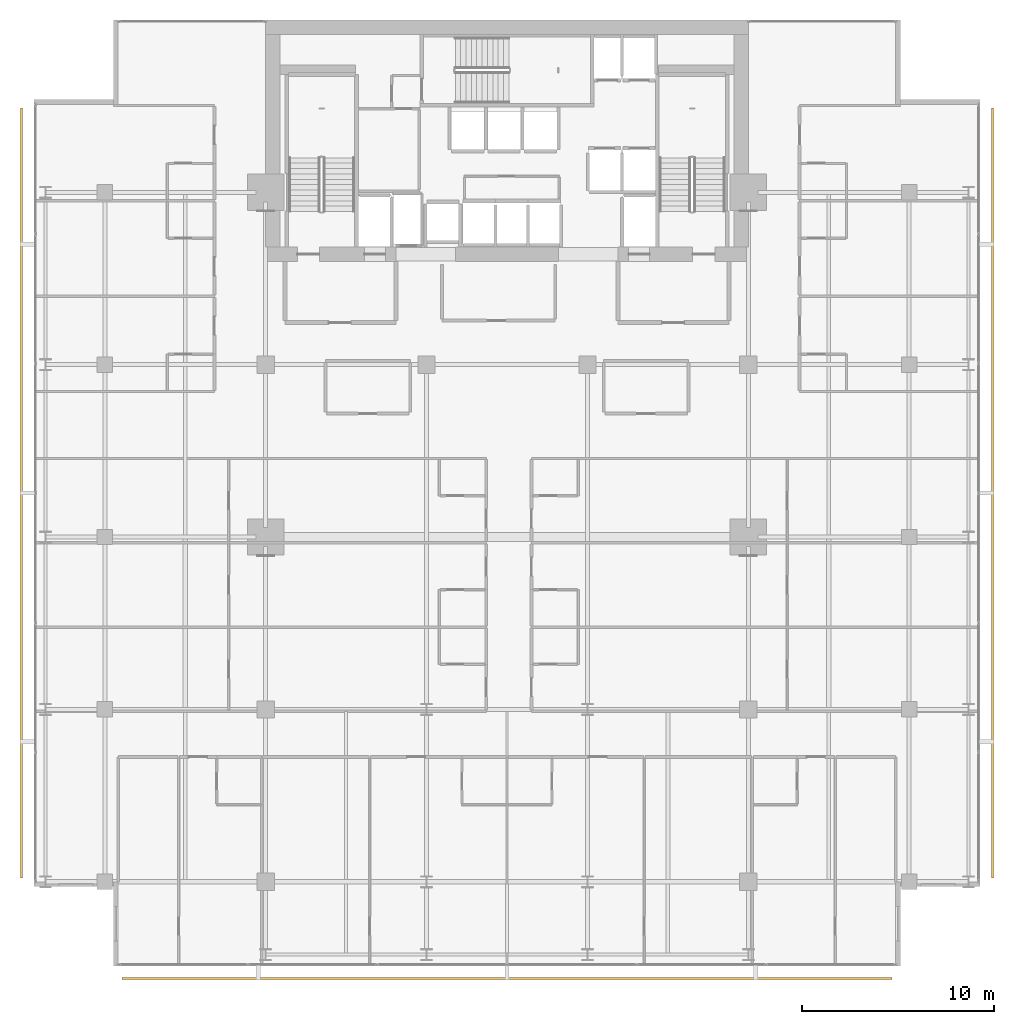
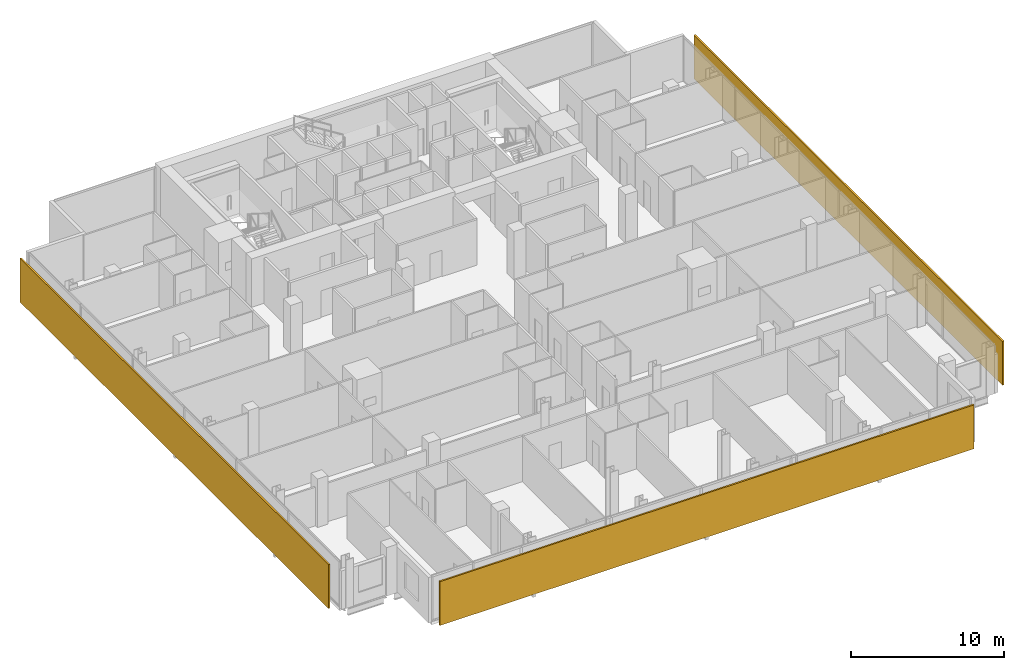
# One storey, part 33 of 34: 3 shading devices.
"""IFC4 building model written with IfcOpenShell, lengths in metres."""

from ifc_helpers import new_model, si_unit, direction, frame, origin, origin_2d, place, context, subcontext, project, spatial, rectangle, extrude, material, layer, layer_set, type_object, element, save


model = new_model("IFC4")

# Units and contexts
model_context = context("Model", 3, precision=1e-05, world=origin(), true_north=direction((0.0, 1.0)))
body_context = subcontext(model_context, "Body", "Model", "MODEL_VIEW")
ifc_project = project(units=[si_unit("LENGTHUNIT", "METRE"), si_unit("AREAUNIT", "SQUARE_METRE"), si_unit("VOLUMEUNIT", "CUBIC_METRE"), si_unit("PLANEANGLEUNIT", "RADIAN"), si_unit("MASSUNIT", "GRAM", prefix="KILO")], contexts=[model_context])

# Site, building, storey
site_placement = place(None, origin())
site = spatial("IfcSite", under=ifc_project, at=site_placement, CompositionType="ELEMENT")
building_placement = place(site_placement, origin())
building = spatial("IfcBuilding", under=site, at=building_placement, Name="Maruvema Waterfront Hotel and Observation Tower", CompositionType="ELEMENT")
storey_placement = place(building_placement, frame((0.0, 0.0, 208.25)))
storey = spatial("IfcBuildingStorey", under=building, at=storey_placement, Name="L51", CompositionType="ELEMENT", Elevation=208.25)

# Shading devices
ifc_material = material(Name="Honed travertine stone and anodised architectural bronze", Category="masonry")
ifc_layer = layer(ifc_material, 0.1201171875, Name="Ventilated Outer Skin Cobogo Stone-and-Bronze Screen 120 mm")
ifc_layer_set = layer_set([ifc_layer], Name="Honed travertine stone and anodised architectural bronze")
shading_device_type = type_object("IfcShadingDeviceType", Name="Ventilated Outer Skin Cobogo Stone-and-Bronze Screen 120 mm", PredefinedType="USERDEFINED", material=ifc_layer_set)
for number, where, z_axis, x_axis, name in (
    (1, (37.800048828125, 3.949951171875, 0.06005859375), (0.0, 0.0, 1.0), (1.0, 0.0, 0.0), "L51 Ventilated Double-Skin Outer Cobogo Screen OS-L51-S"),
    (2, (63.14990234375, 29.300048828125, 0.06005859375), (0.0, 0.0, 1.0), (0.0, 1.0, 0.0), "L51 Ventilated Double-Skin Outer Cobogo Screen OS-L51-E"),
    (3, (12.449951171875, 29.300048828125, 0.06005859375), (0.0, 0.0, 1.0), (0.0, -1.0, 0.0), "L51 Ventilated Double-Skin Outer Cobogo Screen OS-L51-W"),
):
    element("IfcShadingDevice", number, at=place(storey_placement, frame(where, z_axis=z_axis, x_axis=x_axis)), inside=storey, type_object=shading_device_type, Name=name, ObjectType="OUTER SKIN SCREEN", PredefinedType="USERDEFINED", context=body_context, shape_type="SweptSolid", body=[
        extrude(rectangle(XDim=40.199951171875, YDim=0.1201171875, at=origin_2d()), origin(), (0.0, 0.0, 1.0), 3.489990234375),
    ])

save(model, "model.ifc")
